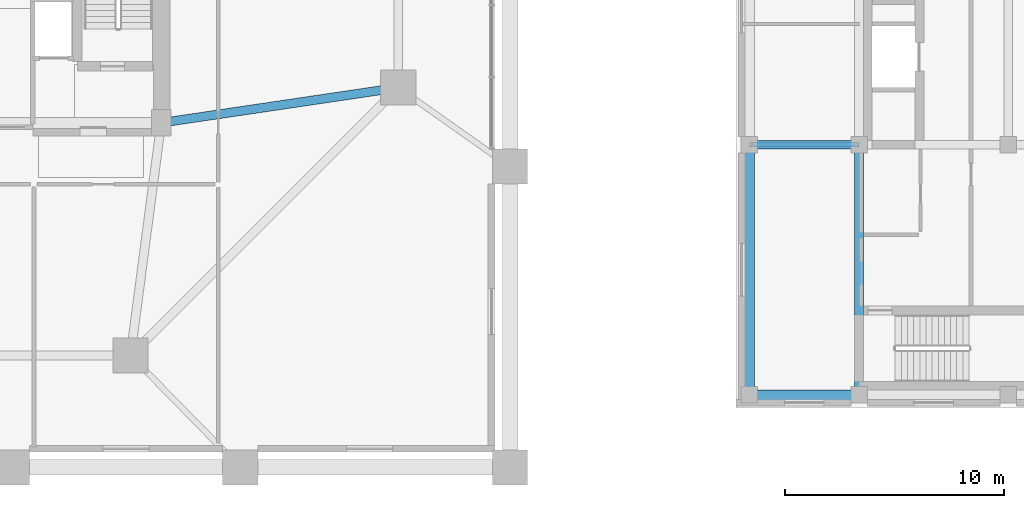
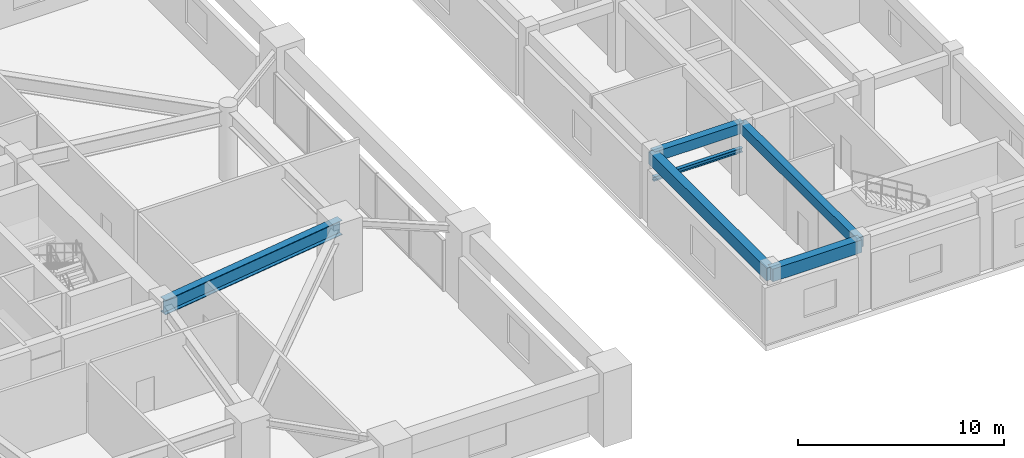
# One storey, part 9 of 22: 6 beams.
"""IFC4 building model written with IfcOpenShell, lengths in metres."""

from ifc_helpers import new_model, si_unit, direction, frame, origin, origin_2d, place, context, subcontext, project, spatial, rectangle, i_section, extrude, material, material_profile, profile_set, type_object, element, save


model = new_model("IFC4")

# Units and contexts
model_context = context("Model", 3, precision=1e-05, world=origin(), true_north=direction((0.0, 1.0)))
body_context = subcontext(model_context, "Body", "Model", "MODEL_VIEW")
ifc_project = project(units=[si_unit("LENGTHUNIT", "METRE"), si_unit("AREAUNIT", "SQUARE_METRE"), si_unit("VOLUMEUNIT", "CUBIC_METRE"), si_unit("PLANEANGLEUNIT", "RADIAN"), si_unit("MASSUNIT", "GRAM", prefix="KILO")], contexts=[model_context])

# Site, building, storey
site_placement = place(None, origin())
site = spatial("IfcSite", under=ifc_project, at=site_placement, CompositionType="ELEMENT")
building_placement = place(site_placement, origin())
building = spatial("IfcBuilding", under=site, at=building_placement, Name="Veraguas Prism Commons", CompositionType="ELEMENT")
storey_placement = place(building_placement, frame((0.0, 0.0, 5.199951171875)))
storey = spatial("IfcBuildingStorey", under=building, at=storey_placement, Name="L01", CompositionType="ELEMENT", Elevation=5.199951171875)

# Beams
ifc_material_1 = material(Name="Concrete C50/60", Category="concrete")
ifc_material_profile_1 = material_profile(ifc_material_1, rectangle(XDim=0.39990234375, YDim=0.60009765625, at=origin_2d()), Name="RC400X600")
ifc_profile_set_1 = profile_set([ifc_material_profile_1], Name="Concrete C50/60")
beam_type_1 = type_object("IfcBeamType", Name="Clinic Secondary Beam RC 400x600", PredefinedType="BEAM", material=ifc_profile_set_1)
beam_1_placement = place(storey_placement, frame((57.60009765625, 16.0, 3.800048828125), z_axis=(1.0, 0.0, 0.0), x_axis=(0.0, 1.0, 0.0)))
element("IfcBeam", 1, at=beam_1_placement, inside=storey, type_object=beam_type_1, Name="Health Centre Beam L01-HCX04", PredefinedType="BEAM", context=body_context, shape_type="SweptSolid", body=[
    extrude(rectangle(XDim=0.39990234375, YDim=0.60009765625, at=origin_2d()), origin(), (0.0, 0.0, 1.0), 5.0),
])
beam_2_placement = place(storey_placement, frame((62.60009765625, 4.60009765625, 3.800048828125), z_axis=(0.0, 1.0, 0.0), x_axis=(-1.0, 0.0, 0.0)))
element("IfcBeam", 2, at=beam_2_placement, inside=storey, type_object=beam_type_1, Name="Health Centre Beam L01-HCY16", PredefinedType="BEAM", context=body_context, shape_type="SweptSolid", body=[
    extrude(rectangle(XDim=0.39990234375, YDim=0.60009765625, at=origin_2d()), origin(), (0.0, 0.0, 1.0), 11.39990234375),
])
ifc_material_2 = material(Name="Steel ASTM A992 Grade 50", Category="steel")
ifc_material_profile_2 = material_profile(ifc_material_2, i_section(OverallWidth=0.403076171875, OverallDepth=0.867919921875, WebThickness=0.02099609375, FlangeThickness=0.03564453125, at=origin_2d()), Name="W840X359")
ifc_profile_set_2 = profile_set([ifc_material_profile_2], Name="Steel ASTM A992 Grade 50")
beam_type_2 = type_object("IfcBeamType", Name="Concourse Primary Girder W840x359", PredefinedType="BEAM", material=ifc_profile_set_2)
beam_3_placement = place(storey_placement, frame((41.60009765625, 18.60009765625, 3.666015625), z_axis=(-0.989202261707, -0.146556765224, 0.0), x_axis=(0.146556765224, -0.989202261707, 0.0)))
element("IfcBeam", 3, at=beam_3_placement, inside=storey, type_object=beam_type_2, Name="Concourse Radial Girder L01-TMR01", PredefinedType="BEAM", context=body_context, shape_type="SweptSolid", body=[
    extrude(i_section(OverallWidth=0.403076171875, OverallDepth=0.867919921875, WebThickness=0.02099609375, FlangeThickness=0.03564453125, at=origin_2d()), origin(), (0.0, 0.0, 1.0), 10.91796875),
])
ifc_material_profile_3 = material_profile(ifc_material_1, rectangle(XDim=0.449951171875, YDim=0.75, at=origin_2d()), Name="RC450X750")
ifc_profile_set_3 = profile_set([ifc_material_profile_3], Name="Concrete C50/60")
beam_type_3 = type_object("IfcBeamType", Name="Perimeter Spandrel Upper RC 450x750", PredefinedType="SPANDREL", material=ifc_profile_set_3)
beam_4_placement = place(storey_placement, frame((57.60009765625, 4.60009765625, 3.72509765625), z_axis=(1.0, 0.0, 0.0), x_axis=(0.0, 1.0, 0.0)))
element("IfcBeam", 4, at=beam_4_placement, inside=storey, type_object=beam_type_3, Name="Health Centre Beam L01-HCX01", PredefinedType="SPANDREL", context=body_context, shape_type="SweptSolid", body=[
    extrude(rectangle(XDim=0.449951171875, YDim=0.75, at=origin_2d()), origin(), (0.0, 0.0, 1.0), 5.0),
])
beam_5_placement = place(storey_placement, frame((57.60009765625, 4.60009765625, 3.72509765625), z_axis=(0.0, 1.0, 0.0), x_axis=(-1.0, 0.0, 0.0)))
element("IfcBeam", 5, at=beam_5_placement, inside=storey, type_object=beam_type_3, Name="Health Centre Beam L01-HCY13", PredefinedType="SPANDREL", context=body_context, shape_type="SweptSolid", body=[
    extrude(rectangle(XDim=0.449951171875, YDim=0.75, at=origin_2d()), origin(), (0.0, 0.0, 1.0), 11.39990234375),
])
ifc_material_profile_4 = material_profile(ifc_material_2, i_section(OverallWidth=0.202880859375, OverallDepth=0.251953125, WebThickness=0.008056640625, FlangeThickness=0.013427734375, at=origin_2d()), Name="W250X58")
ifc_profile_set_4 = profile_set([ifc_material_profile_4], Name="Steel ASTM A992 Grade 50")
beam_type_4 = type_object("IfcBeamType", Name="Structural Opening Lintel W250x58", PredefinedType="LINTEL", material=ifc_profile_set_4)
beam_6_placement = place(storey_placement, frame((57.60009765625, 16.0, 2.424072265625), z_axis=(1.0, 0.0, 0.0), x_axis=(0.0, 1.0, 0.0)))
element("IfcBeam", 6, at=beam_6_placement, inside=storey, type_object=beam_type_4, Name="Clinic Opening Lintel Beam L01-LN01", PredefinedType="LINTEL", context=body_context, shape_type="SweptSolid", body=[
    extrude(i_section(OverallWidth=0.202880859375, OverallDepth=0.251953125, WebThickness=0.008056640625, FlangeThickness=0.013427734375, at=origin_2d()), origin(), (0.0, 0.0, 1.0), 5.0),
])

save(model, "model.ifc")
